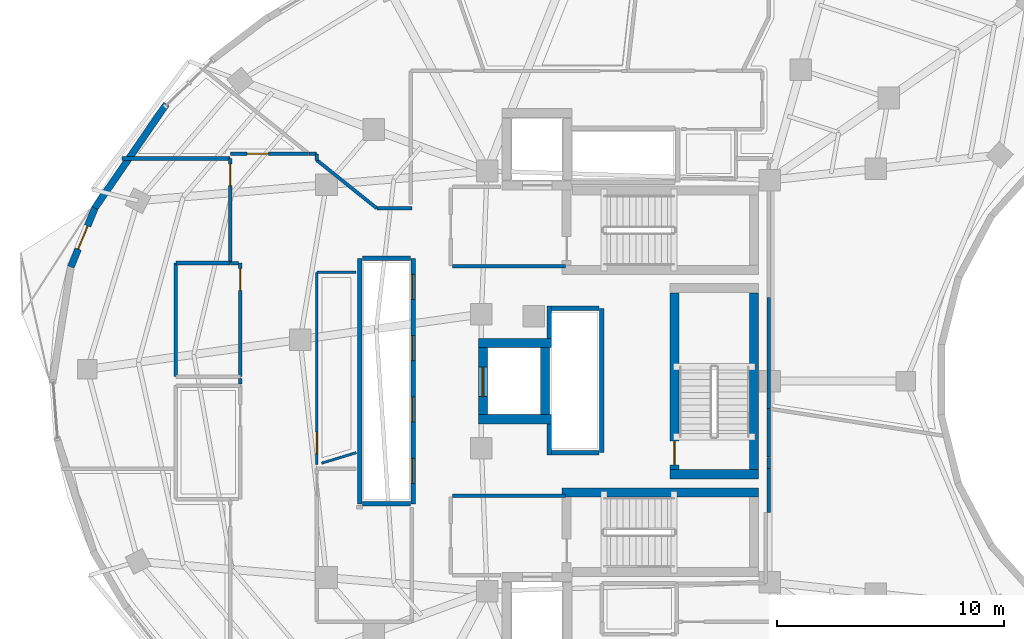
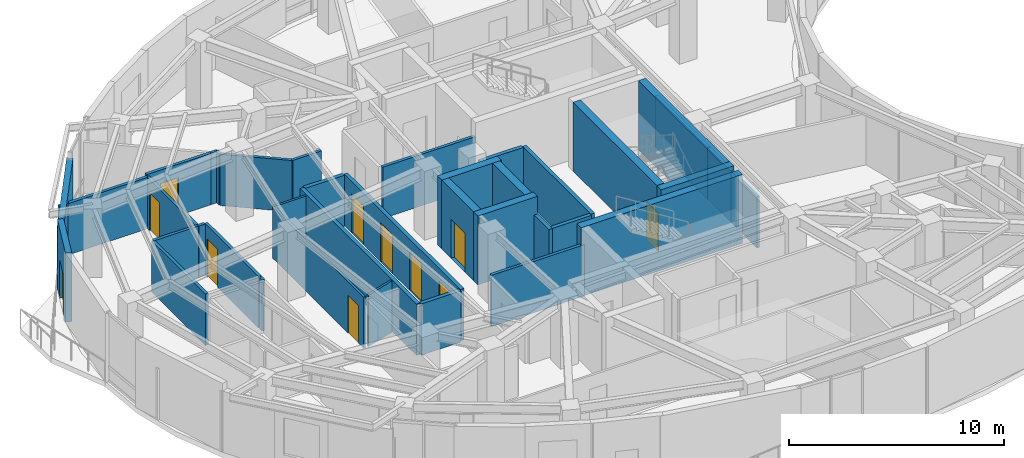
# One storey, part 9 of 14: 40 walls, 11 doors, 11 openings.
"""IFC4 building model written with IfcOpenShell, lengths in metres."""

from ifc_helpers import new_model, si_unit, direction, frame, frame_2d, origin, place, context, subcontext, project, spatial, rectangle, extrude, material, layer, layer_set, type_object, element, fill, save


model = new_model("IFC4")

# Units and contexts
model_context = context("Model", 3, precision=1e-05, world=origin(), true_north=direction((0.0, 1.0)))
body_context = subcontext(model_context, "Body", "Model", "MODEL_VIEW")
ifc_project = project(units=[si_unit("LENGTHUNIT", "METRE"), si_unit("AREAUNIT", "SQUARE_METRE"), si_unit("VOLUMEUNIT", "CUBIC_METRE"), si_unit("PLANEANGLEUNIT", "RADIAN"), si_unit("MASSUNIT", "GRAM", prefix="KILO")], contexts=[model_context])

# Site, building, storey
site_placement = place(None, origin())
site = spatial("IfcSite", under=ifc_project, at=site_placement, CompositionType="ELEMENT")
building_placement = place(site_placement, origin())
building = spatial("IfcBuilding", under=site, at=building_placement, Name="Korentha Bioscience Tower", CompositionType="ELEMENT")
storey_placement = place(building_placement, frame((0.0, 0.0, 247.800048828125)))
storey = spatial("IfcBuildingStorey", under=building, at=storey_placement, Name="L57", CompositionType="ELEMENT", Elevation=247.800048828125)

# Wall, opening, door
ifc_material_1 = material(Name="Double-Stud Acoustic Gypsum", Category="gypsum")
ifc_layer_1 = layer(ifc_material_1, 0.14990234375, Name="Double-Stud Acoustic Gypsum")
ifc_layer_set_1 = layer_set([ifc_layer_1], Name="Double-Stud Acoustic Gypsum (IW-L150)")
wall_type_1 = type_object("IfcWallType", Name="Acoustic Laboratory Partition Wall 150", PredefinedType="PARTITIONING", material=ifc_layer_set_1)
wall_1_placement = place(storey_placement, frame((13.7900390625, 36.7919921875, 0.0), z_axis=(0.0, 0.0, 1.0), x_axis=(0.0, -1.0, 0.0)))
wall_1 = element("IfcWall", 1, at=wall_1_placement, inside=storey, type_object=wall_type_1, Name="L57 Epidemiology Modelling Studio 12 Entrance Wall", PredefinedType="PARTITIONING", context=body_context, shape_type="SweptSolid", body=[
    extrude(rectangle(XDim=4.58203125, YDim=0.14990234375, at=frame_2d((2.291015625, 0.0))), origin(), (0.0, 0.0, 1.0), 2.909912109375),
])
opening_1_placement = place(wall_1_placement, frame((0.239990234375, 0.0, 0.0)))
opening_1 = element("IfcOpeningElement", 2, at=opening_1_placement, cuts=wall_1, Name="Opening ID-10L", PredefinedType="OPENING", context=body_context, shape_type="SweptSolid", body=[
    extrude(rectangle(XDim=0.949951171875, YDim=2.14990234375, at=frame_2d((0.47509765625, 1.074951171875))), frame((0.0, 0.08984375, 0.0), z_axis=(0.0, -1.0, 0.0), x_axis=(1.0, 0.0, 0.0)), (0.0, 0.0, 1.0), 0.1796875),
])
ifc_material_2 = material(Name="Phenolic Laminate Timber Core", Category="wood")
door_type_1 = type_object("IfcDoorType", Name="Laboratory Single Leaf Door 950x2150 Left", OperationType="SINGLE_SWING_LEFT", PredefinedType="DOOR", material=ifc_material_2)
door_1_placement = place(opening_1_placement, origin())
door_1 = element("IfcDoor", 3, at=door_1_placement, inside=storey, type_object=door_type_1, Name="L57 Epidemiology Modelling Studio 12 Door", OperationType="SINGLE_SWING_LEFT", OverallHeight=2.14990234375, OverallWidth=0.949951171875, PredefinedType="DOOR", context=body_context, shape_type="SweptSolid", body=[
    extrude(rectangle(XDim=0.949951171875, YDim=2.14990234375, at=frame_2d((0.47509765625, 1.074951171875))), frame((0.0, 0.02490234375, 0.0), z_axis=(0.0, -1.0, 0.0), x_axis=(1.0, 0.0, 0.0)), (0.0, 0.0, 1.0), 0.050048828125),
])
fill(opening_1, door_1)

# Walls
wall_2_placement = place(storey_placement, frame((37.501953125, 21.220703125, 0.0), z_axis=(0.0, 0.0, 1.0), x_axis=(0.0, 1.0, 0.0)))
element("IfcWall", 4, at=wall_2_placement, inside=storey, type_object=wall_type_1, Name="L57 Interior Partition 047", PredefinedType="PARTITIONING", context=body_context, shape_type="SweptSolid", body=[
    extrude(rectangle(XDim=1.927001953125, YDim=0.14990234375, at=frame_2d((0.96337890625, 0.0))), origin(), (0.0, 0.0, 1.0), 2.909912109375),
])
wall_3_placement = place(storey_placement, frame((37.501953125, 23.152099609375, 0.0), z_axis=(0.0, 0.0, 1.0), x_axis=(0.0, 1.0, 0.0)))
element("IfcWall", 5, at=wall_3_placement, inside=storey, type_object=wall_type_1, Name="L57 Interior Partition 048", PredefinedType="PARTITIONING", context=body_context, shape_type="SweptSolid", body=[
    extrude(rectangle(XDim=0.49560546875, YDim=0.14990234375, at=frame_2d((0.247802734375, 0.0))), origin(), (0.0, 0.0, 1.0), 2.909912109375),
])
wall_4_placement = place(storey_placement, frame((37.501953125, 23.652099609375, 0.0), z_axis=(0.0, 0.0, 1.0), x_axis=(0.0, 1.0, 0.0)))
element("IfcWall", 6, at=wall_4_placement, inside=storey, type_object=wall_type_1, Name="L57 Interior Partition 049", PredefinedType="PARTITIONING", context=body_context, shape_type="SweptSolid", body=[
    extrude(rectangle(XDim=2.1376953125, YDim=0.14990234375, at=frame_2d((1.06884765625, 0.0))), origin(), (0.0, 0.0, 1.0), 2.909912109375),
])
wall_5_placement = place(storey_placement, frame((21.7900390625, 34.610107421875, 0.0), z_axis=(0.0, 0.0, 1.0), x_axis=(-1.0, 0.0, 0.0)))
element("IfcWall", 7, at=wall_5_placement, inside=storey, type_object=wall_type_1, Name="L57 Interior Partition 065", PredefinedType="PARTITIONING", context=body_context, shape_type="SweptSolid", body=[
    extrude(rectangle(XDim=1.546142578125, YDim=0.14990234375, at=frame_2d((0.77294921875, 0.0))), origin(), (0.0, 0.0, 1.0), 2.909912109375),
])
wall_6_placement = place(storey_placement, frame((20.243896484375, 34.610107421875, 0.0), z_axis=(0.0, 0.0, 1.0), x_axis=(-0.779965134007, 0.625822969963, 0.0)))
element("IfcWall", 8, at=wall_6_placement, inside=storey, type_object=wall_type_1, Name="L57 Interior Partition 066", PredefinedType="PARTITIONING", context=body_context, shape_type="SweptSolid", body=[
    extrude(rectangle(XDim=3.376708984375, YDim=0.14990234375, at=frame_2d((1.6884765625, 0.0))), origin(), (0.0, 0.0, 1.0), 2.909912109375),
])
wall_7_placement = place(storey_placement, frame((17.610107421875, 36.723388671875, 0.0), z_axis=(0.0, 0.0, 1.0), x_axis=(0.0, 1.0, 0.0)))
element("IfcWall", 9, at=wall_7_placement, inside=storey, type_object=wall_type_1, Name="L57 Interior Partition 067", PredefinedType="PARTITIONING", context=body_context, shape_type="SweptSolid", body=[
    extrude(rectangle(XDim=0.276611328125, YDim=0.14990234375, at=frame_2d((0.13818359375, 0.0))), origin(), (0.0, 0.0, 1.0), 2.909912109375),
])
wall_8_placement = place(storey_placement, frame((17.60009765625, 37.010009765625, 0.0), z_axis=(0.0, 0.0, 1.0), x_axis=(-1.0, 0.0, 0.0)))
element("IfcWall", 10, at=wall_8_placement, inside=storey, type_object=wall_type_1, Name="L57 Interior Partition 068", PredefinedType="PARTITIONING", context=body_context, shape_type="SweptSolid", body=[
    extrude(rectangle(XDim=0.34716796875, YDim=0.14990234375, at=frame_2d((0.173583984375, 0.0))), origin(), (0.0, 0.0, 1.0), 2.909912109375),
])
wall_9_placement = place(storey_placement, frame((14.239990234375, 27.116943359375, 0.0), z_axis=(0.0, 0.0, 1.0), x_axis=(0.0, -1.0, 0.0)))
element("IfcWall", 11, at=wall_9_placement, inside=storey, type_object=wall_type_1, Name="L57 Interior Partition 071", PredefinedType="PARTITIONING", context=body_context, shape_type="SweptSolid", body=[
    extrude(rectangle(XDim=0.239013671875, YDim=0.14990234375, at=frame_2d((0.11962890625, 0.0))), origin(), (0.0, 0.0, 1.0), 2.909912109375),
])

# Wall, opening, door
ifc_material_3 = material(Name="Fire-Rated Framed Glass", Category="glass")
ifc_layer_2 = layer(ifc_material_3, 0.110107421875, Name="Fire-Rated Framed Glass")
ifc_layer_set_2 = layer_set([ifc_layer_2], Name="Fire-Rated Framed Glass (IW-G110)")
wall_type_2 = type_object("IfcWallType", Name="Demountable Glazed Office Partition 110", PredefinedType="MOVABLE", material=ifc_layer_set_2)
wall_10_placement = place(storey_placement, frame((17.610107421875, 23.324462890625, 0.0), z_axis=(0.0, 0.0, 1.0), x_axis=(0.0, 1.0, 0.0)))
wall_10 = element("IfcWall", 12, at=wall_10_placement, inside=storey, type_object=wall_type_2, Name="L57 Senior Scientist Corner Office 13 Entrance Wall", PredefinedType="MOVABLE", context=body_context, shape_type="SweptSolid", body=[
    extrude(rectangle(XDim=8.465576171875, YDim=0.110107421875, at=frame_2d((4.23291015625, 0.0))), origin(), (0.0, 0.0, 1.0), 2.909912109375),
])
opening_2_placement = place(wall_10_placement, frame((0.481201171875, 0.0, 0.0)))
opening_2 = element("IfcOpeningElement", 13, at=opening_2_placement, cuts=wall_10, Name="Opening ID-10R", PredefinedType="OPENING", context=body_context, shape_type="SweptSolid", body=[
    extrude(rectangle(XDim=0.949951171875, YDim=2.14990234375, at=frame_2d((0.47509765625, 1.074951171875))), frame((0.0, 0.06982421875, 0.0), z_axis=(0.0, -1.0, 0.0), x_axis=(1.0, 0.0, 0.0)), (0.0, 0.0, 1.0), 0.139892578125),
])
door_type_2 = type_object("IfcDoorType", Name="Laboratory Single Leaf Door 950x2150 Right", OperationType="SINGLE_SWING_RIGHT", PredefinedType="DOOR", material=ifc_material_2)
door_2_placement = place(opening_2_placement, origin())
door_2 = element("IfcDoor", 14, at=door_2_placement, inside=storey, type_object=door_type_2, Name="L57 Senior Scientist Corner Office 13 Door", OperationType="SINGLE_SWING_RIGHT", OverallHeight=2.14990234375, OverallWidth=0.949951171875, PredefinedType="DOOR", context=body_context, shape_type="SweptSolid", body=[
    extrude(rectangle(XDim=0.949951171875, YDim=2.14990234375, at=frame_2d((0.47509765625, 1.074951171875))), frame((0.0, 0.02490234375, 0.0), z_axis=(0.0, -1.0, 0.0), x_axis=(1.0, 0.0, 0.0)), (0.0, 0.0, 1.0), 0.050048828125),
])
fill(opening_2, door_2)

# Walls
wall_11_placement = place(storey_placement, frame((19.33984375, 23.849609375, 0.0), z_axis=(0.0, 0.0, 1.0), x_axis=(-0.956878289182, -0.290489138681, 0.0)))
element("IfcWall", 15, at=wall_11_placement, inside=storey, type_object=wall_type_2, Name="L57 Interior Partition 072", PredefinedType="MOVABLE", context=body_context, shape_type="SweptSolid", body=[
    extrude(rectangle(XDim=1.58935546875, YDim=0.110107421875, at=frame_2d((0.794677734375, 0.0))), origin(), (0.0, 0.0, 1.0), 2.909912109375),
])
wall_12_placement = place(storey_placement, frame((17.610107421875, 31.7900390625, 0.0), z_axis=(0.0, 0.0, 1.0), x_axis=(1.0, 0.0, 0.0)))
element("IfcWall", 16, at=wall_12_placement, inside=storey, type_object=wall_type_2, Name="L57 Interior Partition 073", PredefinedType="MOVABLE", context=body_context, shape_type="SweptSolid", body=[
    extrude(rectangle(XDim=1.72998046875, YDim=0.110107421875, at=frame_2d((0.864990234375, 0.0))), origin(), (0.0, 0.0, 1.0), 2.909912109375),
])
ifc_material_4 = material(Name="Gypsum-Clad Steel Stud", Category="steel")
ifc_layer_3 = layer(ifc_material_4, 0.159912109375, Name="Gypsum-Clad Steel Stud")
ifc_layer_set_3 = layer_set([ifc_layer_3], Name="Gypsum-Clad Steel Stud (IW-C160)")
wall_type_3 = type_object("IfcWallType", Name="Fire-Rated Corridor Partition Wall 160", PredefinedType="PARTITIONING", material=ifc_layer_set_3)
for number, where, z_axis, x_axis, name in (
    (17, (23.580078125, 32.050048828125, 0.0), (0.0, 0.0, 1.0), (1.0, 0.0, 0.0), "L57 Firefighting Lobby Return Wall FFLN-S"),
    (18, (23.580078125, 21.949951171875, 0.0), (0.0, 0.0, 1.0), (1.0, 0.0, 0.0), "L57 Firefighting Lobby Return Wall FFLS-N"),
):
    element("IfcWall", number, at=place(storey_placement, frame(where, z_axis=z_axis, x_axis=x_axis)), inside=storey, type_object=wall_type_3, Name=name, PredefinedType="PARTITIONING", context=body_context, shape_type="SweptSolid", body=[
        extrude(rectangle(XDim=4.969970703125, YDim=0.159912109375, at=frame_2d((2.48486328125, 0.0))), origin(), (0.0, 0.0, 1.0), 2.909912109375),
    ])

# Wall, opening, door
wall_13_placement = place(storey_placement, frame((14.239990234375, 32.18994140625, 0.0), z_axis=(0.0, 0.0, 1.0), x_axis=(0.0, -1.0, 0.0)))
wall_13 = element("IfcWall", 19, at=wall_13_placement, inside=storey, type_object=wall_type_3, Name="L57 Reclaimed Bank-1 Glassware Store Entrance Wall", PredefinedType="PARTITIONING", context=body_context, shape_type="SweptSolid", body=[
    extrude(rectangle(XDim=4.989990234375, YDim=0.159912109375, at=frame_2d((2.4951171875, 0.0))), origin(), (0.0, 0.0, 1.0), 2.909912109375),
])
opening_3_placement = place(wall_13_placement, frame((0.239990234375, 0.0, 0.0)))
opening_3 = element("IfcOpeningElement", 20, at=opening_3_placement, cuts=wall_13, Name="Opening ID-10L", PredefinedType="OPENING", context=body_context, shape_type="SweptSolid", body=[
    extrude(rectangle(XDim=0.949951171875, YDim=2.14990234375, at=frame_2d((0.47509765625, 1.074951171875))), frame((0.0, 0.0947265625, 0.0), z_axis=(0.0, -1.0, 0.0), x_axis=(1.0, 0.0, 0.0)), (0.0, 0.0, 1.0), 0.189697265625),
])
door_3_placement = place(opening_3_placement, origin())
door_3 = element("IfcDoor", 21, at=door_3_placement, inside=storey, type_object=door_type_1, Name="L57 Reclaimed Bank-1 Glassware Store Door", OperationType="SINGLE_SWING_LEFT", OverallHeight=2.14990234375, OverallWidth=0.949951171875, PredefinedType="DOOR", context=body_context, shape_type="SweptSolid", body=[
    extrude(rectangle(XDim=0.949951171875, YDim=2.14990234375, at=frame_2d((0.47509765625, 1.074951171875))), frame((0.0, 0.02490234375, 0.0), z_axis=(0.0, -1.0, 0.0), x_axis=(1.0, 0.0, 0.0)), (0.0, 0.0, 1.0), 0.050048828125),
])
fill(opening_3, door_3)

wall_14_placement = place(storey_placement, frame((17.23681640625, 37.010009765625, 0.0), z_axis=(0.0, 0.0, 1.0), x_axis=(-1.0, 0.0, 0.0)))
wall_14 = element("IfcWall", 22, at=wall_14_placement, inside=storey, type_object=wall_type_3, Name="L57 Cold-Chain Stability Chamber 11 Entrance Wall", PredefinedType="PARTITIONING", context=body_context, shape_type="SweptSolid", body=[
    extrude(rectangle(XDim=3.436767578125, YDim=0.159912109375, at=frame_2d((1.71826171875, 0.0))), origin(), (0.0, 0.0, 1.0), 2.909912109375),
])
opening_4_placement = place(wall_14_placement, frame((1.74951171875, 0.0, 0.0)))
opening_4 = element("IfcOpeningElement", 23, at=opening_4_placement, cuts=wall_14, Name="Opening ID-10R", PredefinedType="OPENING", context=body_context, shape_type="SweptSolid", body=[
    extrude(rectangle(XDim=0.949951171875, YDim=2.14990234375, at=frame_2d((0.47509765625, 1.074951171875))), frame((0.0, 0.0947265625, 0.0), z_axis=(0.0, -1.0, 0.0), x_axis=(1.0, 0.0, 0.0)), (0.0, 0.0, 1.0), 0.189697265625),
])
door_4_placement = place(opening_4_placement, origin())
door_4 = element("IfcDoor", 24, at=door_4_placement, inside=storey, type_object=door_type_2, Name="L57 Cold-Chain Stability Chamber 11 Door", OperationType="SINGLE_SWING_RIGHT", OverallHeight=2.14990234375, OverallWidth=0.949951171875, PredefinedType="DOOR", context=body_context, shape_type="SweptSolid", body=[
    extrude(rectangle(XDim=0.949951171875, YDim=2.14990234375, at=frame_2d((0.47509765625, 1.074951171875))), frame((0.0, 0.02490234375, 0.0), z_axis=(0.0, -1.0, 0.0), x_axis=(1.0, 0.0, 0.0)), (0.0, 0.0, 1.0), 0.050048828125),
])
fill(opening_4, door_4)

# Walls
wall_15_placement = place(storey_placement, frame((13.800048828125, 32.18994140625, 0.0), z_axis=(0.0, 0.0, 1.0), x_axis=(1.0, 0.0, 0.0)))
element("IfcWall", 25, at=wall_15_placement, inside=storey, type_object=wall_type_3, Name="L57 Interior Partition 029", PredefinedType="PARTITIONING", context=body_context, shape_type="SweptSolid", body=[
    extrude(rectangle(XDim=0.35693359375, YDim=0.159912109375, at=frame_2d((0.178466796875, 0.0))), origin(), (0.0, 0.0, 1.0), 2.909912109375),
])
wall_16_placement = place(storey_placement, frame((11.39990234375, 27.199951171875, 0.0), z_axis=(0.0, 0.0, 1.0), x_axis=(0.0, 1.0, 0.0)))
element("IfcWall", 26, at=wall_16_placement, inside=storey, type_object=wall_type_3, Name="L57 Interior Partition 031", PredefinedType="PARTITIONING", context=body_context, shape_type="SweptSolid", body=[
    extrude(rectangle(XDim=5.0, YDim=0.159912109375, at=frame_2d((2.5, 0.0))), origin(), (0.0, 0.0, 1.0), 2.909912109375),
])
wall_17_placement = place(storey_placement, frame((11.39990234375, 32.199951171875, 0.0), z_axis=(0.0, 0.0, 1.0), x_axis=(1.0, 0.0, 0.0)))
element("IfcWall", 27, at=wall_17_placement, inside=storey, type_object=wall_type_3, Name="L57 Interior Partition 032", PredefinedType="PARTITIONING", context=body_context, shape_type="SweptSolid", body=[
    extrude(rectangle(XDim=2.39013671875, YDim=0.159912109375, at=frame_2d((1.195068359375, 0.0))), origin(), (0.0, 0.0, 1.0), 2.909912109375),
])
wall_18_placement = place(storey_placement, frame((37.501953125, 25.800048828125, 0.0), z_axis=(0.0, 0.0, 1.0), x_axis=(0.0, 1.0, 0.0)))
element("IfcWall", 28, at=wall_18_placement, inside=storey, type_object=wall_type_3, Name="L57 Interior Partition 055", PredefinedType="PARTITIONING", context=body_context, shape_type="SweptSolid", body=[
    extrude(rectangle(XDim=4.871337890625, YDim=0.159912109375, at=frame_2d((2.435546875, 0.0))), origin(), (0.0, 0.0, 1.0), 2.909912109375),
])
wall_19_placement = place(storey_placement, frame((13.7900390625, 36.802001953125, 0.0), z_axis=(0.0, 0.0, 1.0), x_axis=(-1.0, 0.0, 0.0)))
element("IfcWall", 29, at=wall_19_placement, inside=storey, type_object=wall_type_3, Name="L57 Interior Partition 070", PredefinedType="PARTITIONING", context=body_context, shape_type="SweptSolid", body=[
    extrude(rectangle(XDim=4.7724609375, YDim=0.159912109375, at=frame_2d((2.38623046875, 0.0))), origin(), (0.0, 0.0, 1.0), 2.909912109375),
])

# Wall, opening, door
ifc_material_5 = material(Name="Honed Limestone Precast Concrete C40", Category="masonry")
ifc_layer_4 = layer(ifc_material_5, 0.300048828125, Name="Honed Limestone Precast Concrete C40")
ifc_layer_set_4 = layer_set([ifc_layer_4], Name="Honed Limestone Precast Concrete C40 (EW-ST300)")
wall_type_4 = type_object("IfcWallType", Name="Honed Limestone Cavity Spandrel Wall 300", PredefinedType="STANDARD", material=ifc_layer_set_4)
wall_20_placement = place(storey_placement, frame((7.835205078125, 34.6162109375, 0.0), z_axis=(0.0, 0.0, 1.0), x_axis=(-0.378197778625, -0.925724818854, 0.0)))
wall_20 = element("IfcWall", 30, at=wall_20_placement, inside=storey, type_object=wall_type_4, Name="L57 Balcony Threshold Wall 02", PredefinedType="STANDARD", context=body_context, shape_type="SweptSolid", body=[
    extrude(rectangle(XDim=2.797119140625, YDim=0.300048828125, at=frame_2d((1.3984375, 0.0))), origin(), (0.0, 0.0, 1.0), 3.89990234375),
])
opening_5_placement = place(wall_20_placement, frame((0.8486328125, 0.0, 0.0)))
opening_5 = element("IfcOpeningElement", 31, at=opening_5_placement, cuts=wall_20, Name="Opening BD-11R", PredefinedType="OPENING", context=body_context, shape_type="SweptSolid", body=[
    extrude(rectangle(XDim=1.10009765625, YDim=2.14990234375, at=frame_2d((0.550048828125, 1.074951171875))), frame((0.0, 0.1650390625, 0.0), z_axis=(0.0, -1.0, 0.0), x_axis=(1.0, 0.0, 0.0)), (0.0, 0.0, 1.0), 0.329833984375),
])
ifc_material_6 = material(Name="Thermally Broken Glazed Aluminium", Category="aluminium")
door_type_3 = type_object("IfcDoorType", Name="Balcony Terrace Glazed Door 1100x2150 Right", OperationType="SINGLE_SWING_RIGHT", PredefinedType="DOOR", material=ifc_material_6)
door_5_placement = place(opening_5_placement, origin())
door_5 = element("IfcDoor", 32, at=door_5_placement, inside=storey, type_object=door_type_3, Name="L57 Balcony Access Door 02", OperationType="SINGLE_SWING_RIGHT", OverallHeight=2.14990234375, OverallWidth=1.10009765625, PredefinedType="DOOR", context=body_context, shape_type="SweptSolid", body=[
    extrude(rectangle(XDim=1.10009765625, YDim=2.14990234375, at=frame_2d((0.550048828125, 1.074951171875))), frame((0.0, 0.02490234375, 0.0), z_axis=(0.0, -1.0, 0.0), x_axis=(1.0, 0.0, 0.0)), (0.0, 0.0, 1.0), 0.050048828125),
])
fill(opening_5, door_5)

# Walls
wall_21_placement = place(storey_placement, frame((10.983642578125, 39.2001953125, 0.0), z_axis=(0.0, 0.0, 1.0), x_axis=(-0.566669772846, -0.823945003349, 0.0)))
element("IfcWall", 33, at=wall_21_placement, inside=storey, type_object=wall_type_4, Name="L57 Limestone Perimeter Closure Wall 14", PredefinedType="STANDARD", context=body_context, shape_type="SweptSolid", body=[
    extrude(rectangle(XDim=5.733642578125, YDim=0.300048828125, at=frame_2d((2.86669921875, 0.0))), origin(), (0.0, 0.0, 1.0), 3.469970703125),
])
ifc_material_7 = material(Name="Autoclaved Aerated Concrete Block C25", Category="concrete")
ifc_layer_5 = layer(ifc_material_7, 0.199951171875, Name="Autoclaved Aerated Concrete Block C25")
ifc_layer_set_5 = layer_set([ifc_layer_5], Name="Autoclaved Aerated Concrete Block C25 (IW-S200)")
wall_type_5 = type_object("IfcWallType", Name="Lift and Riser Shaft Enclosure Wall 200", PredefinedType="PARTITIONING", material=ifc_layer_set_5)
wall_22_placement = place(storey_placement, frame((19.5, 21.60009765625, 0.0), z_axis=(0.0, 0.0, 1.0), x_axis=(0.0, 1.0, 0.0)))
element("IfcWall", 34, at=wall_22_placement, inside=storey, type_object=wall_type_5, Name="L57 Lift Bank MID Shaft Wall -X", PredefinedType="PARTITIONING", context=body_context, shape_type="SweptSolid", body=[
    extrude(rectangle(XDim=10.7998046875, YDim=0.199951171875, at=frame_2d((5.39990234375, 0.0))), origin(), (0.0, 0.0, 1.0), 2.909912109375),
])

# Wall, openings, doors
wall_23_placement = place(storey_placement, frame((21.85009765625, 21.60009765625, 0.0), z_axis=(0.0, 0.0, 1.0), x_axis=(0.0, 1.0, 0.0)))
wall_23 = element("IfcWall", 35, at=wall_23_placement, inside=storey, type_object=wall_type_5, Name="L57 Lift Bank MID Shaft Wall +X", PredefinedType="PARTITIONING", context=body_context, shape_type="SweptSolid", body=[
    extrude(rectangle(XDim=10.7998046875, YDim=0.199951171875, at=frame_2d((5.39990234375, 0.0))), origin(), (0.0, 0.0, 1.0), 2.909912109375),
])
opening_6_placement = place(wall_23_placement, frame((0.89990234375, 0.0, 0.0)))
opening_6 = element("IfcOpeningElement", 36, at=opening_6_placement, cuts=wall_23, Name="Opening LD-11", PredefinedType="OPENING", context=body_context, shape_type="SweptSolid", body=[
    extrude(rectangle(XDim=1.10009765625, YDim=2.199951171875, at=frame_2d((0.550048828125, 1.10009765625))), frame((0.0, 0.11474609375, 0.0), z_axis=(0.0, -1.0, 0.0), x_axis=(1.0, 0.0, 0.0)), (0.0, 0.0, 1.0), 0.229736328125),
])
opening_7_placement = place(wall_23_placement, frame((3.60009765625, 0.0, 0.0)))
opening_7 = element("IfcOpeningElement", 37, at=opening_7_placement, cuts=wall_23, Name="Opening LD-11", PredefinedType="OPENING", context=body_context, shape_type="SweptSolid", body=[
    extrude(rectangle(XDim=1.10009765625, YDim=2.199951171875, at=frame_2d((0.550048828125, 1.10009765625))), frame((0.0, 0.11474609375, 0.0), z_axis=(0.0, -1.0, 0.0), x_axis=(1.0, 0.0, 0.0)), (0.0, 0.0, 1.0), 0.229736328125),
])
opening_8_placement = place(wall_23_placement, frame((6.300048828125, 0.0, 0.0)))
opening_8 = element("IfcOpeningElement", 38, at=opening_8_placement, cuts=wall_23, Name="Opening LD-11", PredefinedType="OPENING", context=body_context, shape_type="SweptSolid", body=[
    extrude(rectangle(XDim=1.10009765625, YDim=2.199951171875, at=frame_2d((0.550048828125, 1.10009765625))), frame((0.0, 0.11474609375, 0.0), z_axis=(0.0, -1.0, 0.0), x_axis=(1.0, 0.0, 0.0)), (0.0, 0.0, 1.0), 0.229736328125),
])
opening_9_placement = place(wall_23_placement, frame((9.0, 0.0, 0.0)))
opening_9 = element("IfcOpeningElement", 39, at=opening_9_placement, cuts=wall_23, Name="Opening LD-11", PredefinedType="OPENING", context=body_context, shape_type="SweptSolid", body=[
    extrude(rectangle(XDim=1.10009765625, YDim=2.199951171875, at=frame_2d((0.550048828125, 1.10009765625))), frame((0.0, 0.11474609375, 0.0), z_axis=(0.0, -1.0, 0.0), x_axis=(1.0, 0.0, 0.0)), (0.0, 0.0, 1.0), 0.229736328125),
])
ifc_material_8 = material(Name="Brushed Stainless Steel 304", Category="steel")
door_type_4 = type_object("IfcDoorType", Name="Passenger Lift Sliding Landing Door 1100x2200", OperationType="DOUBLE_DOOR_SLIDING", PredefinedType="DOOR", material=ifc_material_8)
door_6_placement = place(opening_6_placement, origin())
door_6 = element("IfcDoor", 40, at=door_6_placement, inside=storey, type_object=door_type_4, Name="L57 PL-M1 Sliding Lift Landing Door", OperationType="DOUBLE_DOOR_SLIDING", OverallHeight=2.199951171875, OverallWidth=1.10009765625, PredefinedType="DOOR", context=body_context, shape_type="SweptSolid", body=[
    extrude(rectangle(XDim=1.10009765625, YDim=2.199951171875, at=frame_2d((0.550048828125, 1.10009765625))), frame((0.0, 0.02490234375, 0.0), z_axis=(0.0, -1.0, 0.0), x_axis=(1.0, 0.0, 0.0)), (0.0, 0.0, 1.0), 0.050048828125),
])
fill(opening_6, door_6)
door_7_placement = place(opening_7_placement, origin())
door_7 = element("IfcDoor", 41, at=door_7_placement, inside=storey, type_object=door_type_4, Name="L57 PL-M2 Sliding Lift Landing Door", OperationType="DOUBLE_DOOR_SLIDING", OverallHeight=2.199951171875, OverallWidth=1.10009765625, PredefinedType="DOOR", context=body_context, shape_type="SweptSolid", body=[
    extrude(rectangle(XDim=1.10009765625, YDim=2.199951171875, at=frame_2d((0.550048828125, 1.10009765625))), frame((0.0, 0.02490234375, 0.0), z_axis=(0.0, -1.0, 0.0), x_axis=(1.0, 0.0, 0.0)), (0.0, 0.0, 1.0), 0.050048828125),
])
fill(opening_7, door_7)
door_8_placement = place(opening_8_placement, origin())
door_8 = element("IfcDoor", 42, at=door_8_placement, inside=storey, type_object=door_type_4, Name="L57 PL-M3 Sliding Lift Landing Door", OperationType="DOUBLE_DOOR_SLIDING", OverallHeight=2.199951171875, OverallWidth=1.10009765625, PredefinedType="DOOR", context=body_context, shape_type="SweptSolid", body=[
    extrude(rectangle(XDim=1.10009765625, YDim=2.199951171875, at=frame_2d((0.550048828125, 1.10009765625))), frame((0.0, 0.02490234375, 0.0), z_axis=(0.0, -1.0, 0.0), x_axis=(1.0, 0.0, 0.0)), (0.0, 0.0, 1.0), 0.050048828125),
])
fill(opening_8, door_8)
door_9_placement = place(opening_9_placement, origin())
door_9 = element("IfcDoor", 43, at=door_9_placement, inside=storey, type_object=door_type_4, Name="L57 PL-M4 Sliding Lift Landing Door", OperationType="DOUBLE_DOOR_SLIDING", OverallHeight=2.199951171875, OverallWidth=1.10009765625, PredefinedType="DOOR", context=body_context, shape_type="SweptSolid", body=[
    extrude(rectangle(XDim=1.10009765625, YDim=2.199951171875, at=frame_2d((0.550048828125, 1.10009765625))), frame((0.0, 0.02490234375, 0.0), z_axis=(0.0, -1.0, 0.0), x_axis=(1.0, 0.0, 0.0)), (0.0, 0.0, 1.0), 0.050048828125),
])
fill(opening_9, door_9)

# Walls
for number, where, z_axis, x_axis, name in (
    (44, (19.6201171875, 21.60009765625, 0.0), (0.0, 0.0, 1.0), (1.0, 0.0, 0.0), "L57 Lift Bank MID Shaft Wall -Y"),
    (45, (19.6201171875, 32.39990234375, 0.0), (0.0, 0.0, 1.0), (1.0, 0.0, 0.0), "L57 Lift Bank MID Shaft Wall +Y"),
):
    element("IfcWall", number, at=place(storey_placement, frame(where, z_axis=z_axis, x_axis=x_axis)), inside=storey, type_object=wall_type_5, Name=name, PredefinedType="PARTITIONING", context=body_context, shape_type="SweptSolid", body=[
        extrude(rectangle(XDim=2.10986328125, YDim=0.199951171875, at=frame_2d((1.054931640625, 0.0))), origin(), (0.0, 0.0, 1.0), 2.909912109375),
    ])
wall_24_placement = place(storey_placement, frame((27.830078125, 23.75, 0.0), z_axis=(0.0, 0.0, 1.0), x_axis=(0.0, 1.0, 0.0)))
element("IfcWall", 46, at=wall_24_placement, inside=storey, type_object=wall_type_5, Name="L57 Lift Bank HIGH Shaft Wall -XS", PredefinedType="PARTITIONING", context=body_context, shape_type="SweptSolid", body=[
    extrude(rectangle(XDim=1.365966796875, YDim=0.199951171875, at=frame_2d((0.68310546875, 0.0))), origin(), (0.0, 0.0, 1.0), 2.909912109375),
])
wall_25_placement = place(storey_placement, frame((27.830078125, 28.884033203125, 0.0), z_axis=(0.0, 0.0, 1.0), x_axis=(0.0, 1.0, 0.0)))
element("IfcWall", 47, at=wall_25_placement, inside=storey, type_object=wall_type_5, Name="L57 Lift Bank HIGH Shaft Wall -XN", PredefinedType="PARTITIONING", context=body_context, shape_type="SweptSolid", body=[
    extrude(rectangle(XDim=1.416015625, YDim=0.199951171875, at=frame_2d((0.7080078125, 0.0))), origin(), (0.0, 0.0, 1.0), 2.909912109375),
])
wall_26_placement = place(storey_placement, frame((30.14990234375, 23.85009765625, 0.0), z_axis=(0.0, 0.0, 1.0), x_axis=(0.0, 1.0, 0.0)))
element("IfcWall", 48, at=wall_26_placement, inside=storey, type_object=wall_type_5, Name="L57 Lift Bank HIGH Shaft Wall +X", PredefinedType="PARTITIONING", context=body_context, shape_type="SweptSolid", body=[
    extrude(rectangle(XDim=6.349853515625, YDim=0.199951171875, at=frame_2d((3.1748046875, 0.0))), origin(), (0.0, 0.0, 1.0), 2.909912109375),
])
for number, where, z_axis, x_axis, name in (
    (49, (27.93408203125, 23.85009765625, 0.0), (0.0, 0.0, 1.0), (1.0, 0.0, 0.0), "L57 Lift Bank HIGH Shaft Wall -Y"),
    (50, (27.93408203125, 30.199951171875, 0.0), (0.0, 0.0, 1.0), (1.0, 0.0, 0.0), "L57 Lift Bank HIGH Shaft Wall +Y"),
):
    element("IfcWall", number, at=place(storey_placement, frame(where, z_axis=z_axis, x_axis=x_axis)), inside=storey, type_object=wall_type_5, Name=name, PredefinedType="PARTITIONING", context=body_context, shape_type="SweptSolid", body=[
        extrude(rectangle(XDim=2.095947265625, YDim=0.199951171875, at=frame_2d((1.0478515625, 0.0))), origin(), (0.0, 0.0, 1.0), 2.909912109375),
    ])
ifc_material_9 = material(Name="Concrete C65", Category="concrete")
ifc_layer_6 = layer(ifc_material_9, 0.39990234375, Name="Concrete C65")
ifc_layer_set_6 = layer_set([ifc_layer_6], Name="Concrete C65 (CW-C65)")
wall_type_6 = type_object("IfcWallType", Name="Mid-Rise Core Shear Wall 400", PredefinedType="SHEAR", material=ifc_layer_set_6)
wall_27_placement = place(storey_placement, frame((28.39990234375, 22.10009765625, 0.0), z_axis=(0.0, 0.0, 1.0), x_axis=(1.0, 0.0, 0.0)))
element("IfcWall", 51, at=wall_27_placement, inside=storey, type_object=wall_type_6, Name="L57 Core Shear Wall ST2-N", PredefinedType="SHEAR", context=body_context, shape_type="SweptSolid", body=[
    extrude(rectangle(XDim=8.650146484375, YDim=0.39990234375, at=frame_2d((4.3251953125, 0.0))), origin(), (0.0, 0.0, 1.0), 3.89990234375),
])
wall_28_placement = place(storey_placement, frame((33.14990234375, 22.89990234375, 0.0), z_axis=(0.0, 0.0, 1.0), x_axis=(1.0, 0.0, 0.0)))
element("IfcWall", 52, at=wall_28_placement, inside=storey, type_object=wall_type_6, Name="L57 Core Shear Wall ST3-S", PredefinedType="SHEAR", context=body_context, shape_type="SweptSolid", body=[
    extrude(rectangle(XDim=3.900146484375, YDim=0.39990234375, at=frame_2d((1.9501953125, 0.0))), origin(), (0.0, 0.0, 1.0), 3.89990234375),
])
wall_29_placement = place(storey_placement, frame((36.85009765625, 23.110107421875, 0.0), z_axis=(0.0, 0.0, 1.0), x_axis=(0.0, 1.0, 0.0)))
element("IfcWall", 53, at=wall_29_placement, inside=storey, type_object=wall_type_6, Name="L57 Core Shear Wall ST3-E", PredefinedType="SHEAR", context=body_context, shape_type="SweptSolid", body=[
    extrude(rectangle(XDim=7.77978515625, YDim=0.39990234375, at=frame_2d((3.889892578125, 0.0))), origin(), (0.0, 0.0, 1.0), 3.89990234375),
])

# Wall, opening, door
wall_30_placement = place(storey_placement, frame((33.35009765625, 23.110107421875, 0.0), z_axis=(0.0, 0.0, 1.0), x_axis=(0.0, 1.0, 0.0)))
wall_30 = element("IfcWall", 54, at=wall_30_placement, inside=storey, type_object=wall_type_6, Name="L57 Core Shear Wall ST3-W", PredefinedType="SHEAR", context=body_context, shape_type="SweptSolid", body=[
    extrude(rectangle(XDim=7.77978515625, YDim=0.39990234375, at=frame_2d((3.889892578125, 0.0))), origin(), (0.0, 0.0, 1.0), 3.89990234375),
])
opening_10_placement = place(wall_30_placement, frame((0.199951171875, 0.0, 0.0)))
opening_10 = element("IfcOpeningElement", 55, at=opening_10_placement, cuts=wall_30, Name="Opening FD-90R", PredefinedType="OPENING", context=body_context, shape_type="SweptSolid", body=[
    extrude(rectangle(XDim=1.050048828125, YDim=2.14990234375, at=frame_2d((0.52490234375, 1.074951171875))), frame((0.0, 0.21484375, 0.0), z_axis=(0.0, -1.0, 0.0), x_axis=(1.0, 0.0, 0.0)), (0.0, 0.0, 1.0), 0.4296875),
])
ifc_material_10 = material(Name="Powder-Coated Fire-Rated Steel", Category="steel")
door_type_5 = type_object("IfcDoorType", Name="Stairwell Fire Exit Door 1050x2150 Right", OperationType="SINGLE_SWING_RIGHT", PredefinedType="DOOR", material=ifc_material_10)
door_10_placement = place(opening_10_placement, origin())
door_10 = element("IfcDoor", 56, at=door_10_placement, inside=storey, type_object=door_type_5, Name="L57 ST-3 Fire Exit Stair Door", OperationType="SINGLE_SWING_RIGHT", OverallHeight=2.14990234375, OverallWidth=1.050048828125, PredefinedType="DOOR", context=body_context, shape_type="SweptSolid", body=[
    extrude(rectangle(XDim=1.050048828125, YDim=2.14990234375, at=frame_2d((0.52490234375, 1.074951171875))), frame((0.0, 0.02490234375, 0.0), z_axis=(0.0, -1.0, 0.0), x_axis=(1.0, 0.0, 0.0)), (0.0, 0.0, 1.0), 0.050048828125),
])
fill(opening_10, door_10)

# Walls
for number, where, z_axis, x_axis, name in (
    (57, (24.719970703125, 28.679931640625, 0.0), (0.0, 0.0, 1.0), (1.0, 0.0, 0.0), "L57 Core Shear Wall SVL1-N"),
    (58, (24.719970703125, 25.320068359375, 0.0), (0.0, 0.0, 1.0), (1.0, 0.0, 0.0), "L57 Core Shear Wall SVL1-S"),
):
    element("IfcWall", number, at=place(storey_placement, frame(where, z_axis=z_axis, x_axis=x_axis)), inside=storey, type_object=wall_type_6, Name=name, PredefinedType="SHEAR", context=body_context, shape_type="SweptSolid", body=[
        extrude(rectangle(XDim=3.2099609375, YDim=0.39990234375, at=frame_2d((1.60498046875, 0.0))), origin(), (0.0, 0.0, 1.0), 3.89990234375),
    ])

# Wall, opening, door
wall_31_placement = place(storey_placement, frame((24.919921875, 25.52197265625, 0.0), z_axis=(0.0, 0.0, 1.0), x_axis=(0.0, 1.0, 0.0)))
wall_31 = element("IfcWall", 59, at=wall_31_placement, inside=storey, type_object=wall_type_6, Name="L57 Core Shear Wall SVL1-W", PredefinedType="SHEAR", context=body_context, shape_type="SweptSolid", body=[
    extrude(rectangle(XDim=2.9560546875, YDim=0.39990234375, at=frame_2d((1.47802734375, 0.0))), origin(), (0.0, 0.0, 1.0), 3.89990234375),
])
opening_11_placement = place(wall_31_placement, frame((0.7900390625, 0.0, 0.0)))
opening_11 = element("IfcOpeningElement", 60, at=opening_11_placement, cuts=wall_31, Name="Opening LD-13", PredefinedType="OPENING", context=body_context, shape_type="SweptSolid", body=[
    extrude(rectangle(XDim=1.300048828125, YDim=2.199951171875, at=frame_2d((0.64990234375, 1.10009765625))), frame((0.0, 0.21484375, 0.0), z_axis=(0.0, -1.0, 0.0), x_axis=(1.0, 0.0, 0.0)), (0.0, 0.0, 1.0), 0.4296875),
])
ifc_material_11 = material(Name="Brushed Stainless Steel 316", Category="steel")
door_type_6 = type_object("IfcDoorType", Name="Service & Firefighting Lift Landing Door 1300x2300", OperationType="DOUBLE_DOOR_SLIDING", PredefinedType="DOOR", material=ifc_material_11)
door_11_placement = place(opening_11_placement, origin())
door_11 = element("IfcDoor", 61, at=door_11_placement, inside=storey, type_object=door_type_6, Name="L57 SVL-1 Sliding Lift Landing Door", OperationType="DOUBLE_DOOR_SLIDING", OverallHeight=2.199951171875, OverallWidth=1.300048828125, PredefinedType="DOOR", context=body_context, shape_type="SweptSolid", body=[
    extrude(rectangle(XDim=1.300048828125, YDim=2.199951171875, at=frame_2d((0.64990234375, 1.10009765625))), frame((0.0, 0.02490234375, 0.0), z_axis=(0.0, -1.0, 0.0), x_axis=(1.0, 0.0, 0.0)), (0.0, 0.0, 1.0), 0.050048828125),
])
fill(opening_11, door_11)

# Wall
wall_32_placement = place(storey_placement, frame((27.64990234375, 25.52197265625, 0.0), z_axis=(0.0, 0.0, 1.0), x_axis=(0.0, 1.0, 0.0)))
element("IfcWall", 62, at=wall_32_placement, inside=storey, type_object=wall_type_6, Name="L57 Core Shear Wall SVL1-E", PredefinedType="SHEAR", context=body_context, shape_type="SweptSolid", body=[
    extrude(rectangle(XDim=2.9560546875, YDim=0.39990234375, at=frame_2d((1.47802734375, 0.0))), origin(), (0.0, 0.0, 1.0), 3.89990234375),
])

save(model, "model.ifc")
